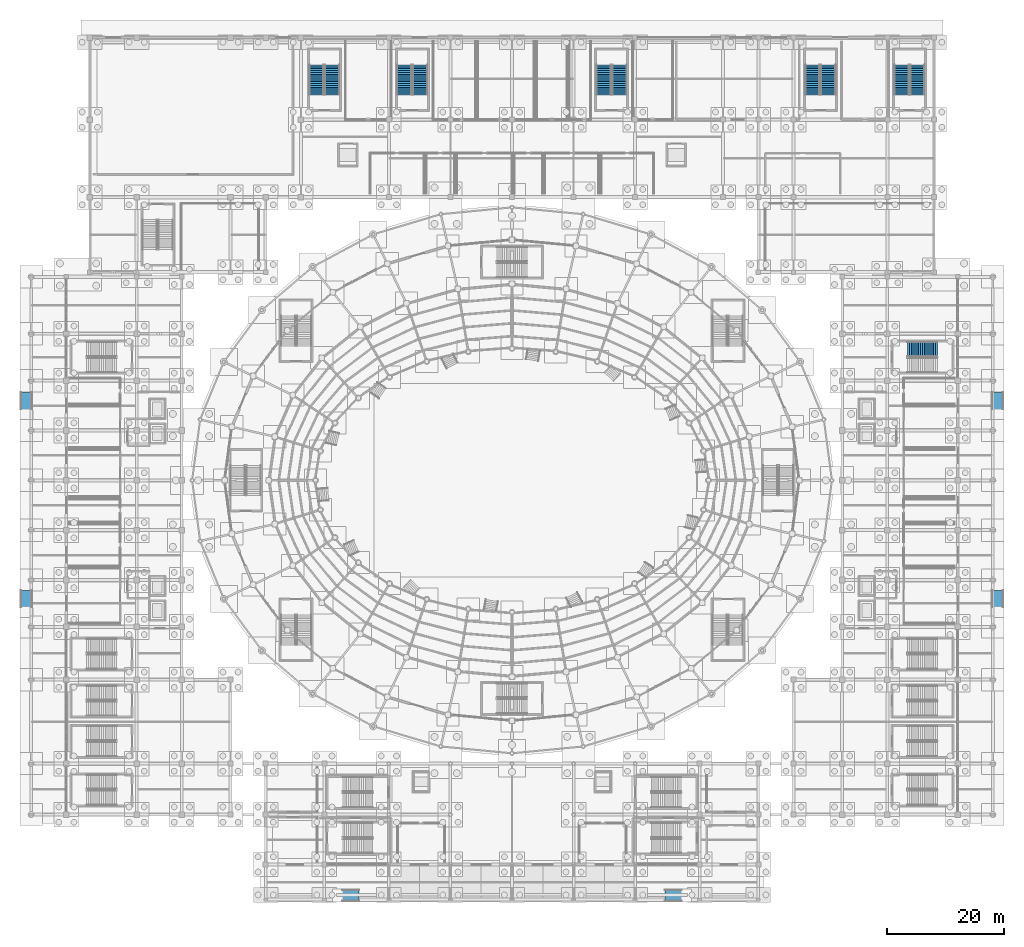
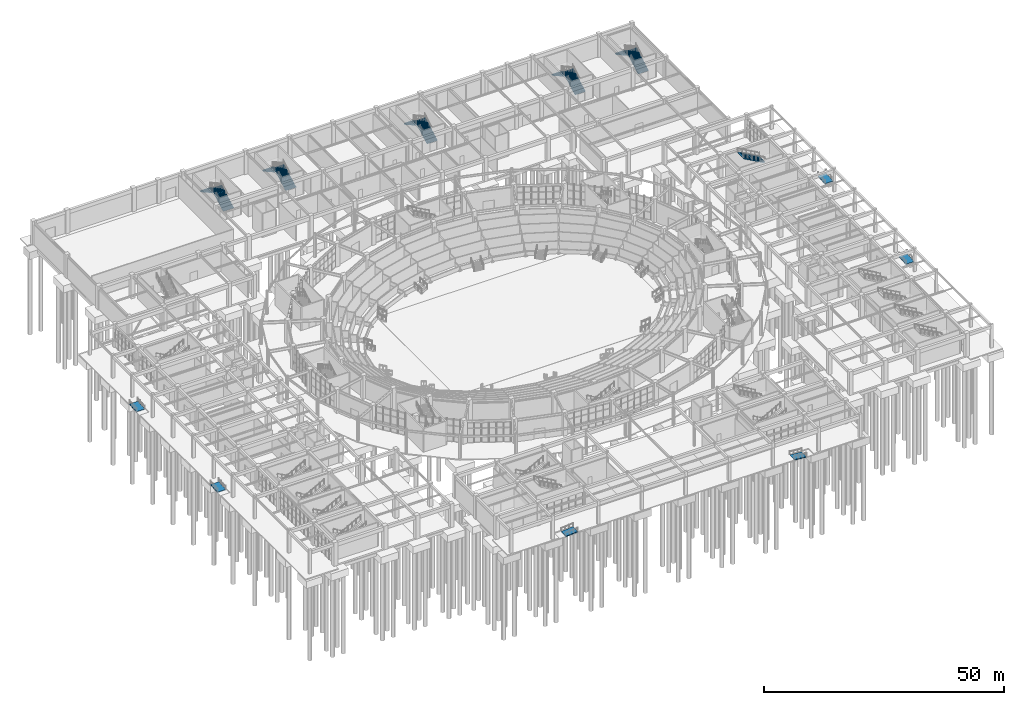
# One storey, part 99 of 121: 11 stair flights, 6 ramp flights, 12 elements without a shape of their own.
"""IFC4 building model written with IfcOpenShell, lengths in metres."""

from ifc_helpers import new_model, si_unit, direction, frame, origin, place, context, subcontext, project, spatial, polyline, outline, extrude, material, layer, layer_set, type_object, element, aggregate, save


model = new_model("IFC4")

# Units and contexts
model_context = context("Model", 3, precision=1e-05, world=origin(), true_north=direction((0.0, 1.0)))
body_context = subcontext(model_context, "Body", "Model", "MODEL_VIEW")
ifc_project = project(units=[si_unit("LENGTHUNIT", "METRE"), si_unit("AREAUNIT", "SQUARE_METRE"), si_unit("VOLUMEUNIT", "CUBIC_METRE"), si_unit("PLANEANGLEUNIT", "RADIAN"), si_unit("MASSUNIT", "GRAM", prefix="KILO")], contexts=[model_context])

# Site, building, storey
site_placement = place(None, origin())
site = spatial("IfcSite", under=ifc_project, at=site_placement, CompositionType="ELEMENT")
building_placement = place(site_placement, origin())
building = spatial("IfcBuilding", under=site, at=building_placement, Name="Cuetzalor Civic Arena", CompositionType="ELEMENT")
storey_placement = place(building_placement, origin())
storey = spatial("IfcBuildingStorey", under=building, at=storey_placement, Name="L00", CompositionType="ELEMENT", Elevation=0.0)

# Stair, stair flight
ifc_material_1 = material(Name="Precast concrete C40/50", Category="concrete")
stair_type = type_object("IfcStairType", Name="EnclosedExitStair_H600", PredefinedType="HALF_TURN_STAIR", material=ifc_material_1)
stair_1_placement = place(storey_placement, origin())
stair_1 = element("IfcStair", 1, at=stair_1_placement, inside=storey, type_object=stair_type, Name="L00 Enclosed Exit Stair ST-22", PredefinedType="HALF_TURN_STAIR")
ifc_material_2 = material(Name="Precast concrete C40/50", Category="concrete")
stair_flight_type = type_object("IfcStairFlightType", Name="ExitStairFlight_H600", PredefinedType="STRAIGHT", material=ifc_material_2)
stair_flight_1_placement = place(storey_placement, frame((72.5380859375, 22.35009765625, 3.0), z_axis=(0.0, 0.0, 1.0), x_axis=(-1.0, 0.0, 0.0)))
stair_flight_1 = element("IfcStairFlight", 2, at=stair_flight_1_placement, type_object=stair_flight_type, Name="ST-22 flight 2", NumberOfRisers=17, NumberOfTreads=16, PredefinedType="STRAIGHT", RiserHeight=0.176470588, TreadLength=0.318, context=body_context, shape_type="SweptSolid", body=[
    extrude(outline(polyline([(0.0, 0.0), (0.0, 0.176513671875), (0.318115234375, 0.176513671875), (0.318115234375, 0.35302734375), (0.635986328125, 0.35302734375), (0.635986328125, 0.529296875), (0.9541015625, 0.529296875), (0.9541015625, 0.705810546875), (1.27197265625, 0.705810546875), (1.27197265625, 0.88232421875), (1.590087890625, 0.88232421875), (1.590087890625, 1.058837890625), (1.907958984375, 1.058837890625), (1.907958984375, 1.2353515625), (2.22607421875, 1.2353515625), (2.22607421875, 1.411865234375), (2.5439453125, 1.411865234375), (2.5439453125, 1.588134765625), (2.862060546875, 1.588134765625), (2.862060546875, 1.7646484375), (3.179931640625, 1.7646484375), (3.179931640625, 1.941162109375), (3.498046875, 1.941162109375), (3.498046875, 2.11767578125), (3.81591796875, 2.11767578125), (3.81591796875, 2.294189453125), (4.134033203125, 2.294189453125), (4.134033203125, 2.470703125), (4.451904296875, 2.470703125), (4.451904296875, 2.64697265625), (4.77001953125, 2.64697265625), (4.77001953125, 2.823486328125), (5.087890625, 2.823486328125), (5.087890625, 3.0), (5.087890625, 2.61767578125), (0.370849609375, 0.0), (0.0, 0.0)])), frame((0.0, 1.25, 0.0), z_axis=(0.0, -1.0, 0.0), x_axis=(1.0, 0.0, 0.0)), (0.0, 0.0, 1.0), 2.5),
])
aggregate(stair_1, [stair_flight_1])

# Stair, stair flights
stair_2_placement = place(storey_placement, origin())
stair_2 = element("IfcStair", 3, at=stair_2_placement, inside=storey, type_object=stair_type, Name="L00 Enclosed Exit Stair ST-24", PredefinedType="HALF_TURN_STAIR")
stair_flight_2_placement = place(storey_placement, frame((-30.64990234375, 65.75, 0.0), z_axis=(0.0, 0.0, 1.0), x_axis=(0.0, 1.0, 0.0)))
stair_flight_2 = element("IfcStairFlight", 4, at=stair_flight_2_placement, type_object=stair_flight_type, Name="ST-24 flight 1", NumberOfRisers=17, NumberOfTreads=16, PredefinedType="STRAIGHT", RiserHeight=0.176470588, TreadLength=0.318, context=body_context, shape_type="SweptSolid", body=[
    extrude(outline(polyline([(0.0, 0.0), (0.0, 0.176513671875), (0.318115234375, 0.176513671875), (0.318115234375, 0.35302734375), (0.635986328125, 0.35302734375), (0.635986328125, 0.529296875), (0.9541015625, 0.529296875), (0.9541015625, 0.705810546875), (1.27197265625, 0.705810546875), (1.27197265625, 0.88232421875), (1.590087890625, 0.88232421875), (1.590087890625, 1.058837890625), (1.907958984375, 1.058837890625), (1.907958984375, 1.2353515625), (2.22607421875, 1.2353515625), (2.22607421875, 1.411865234375), (2.5439453125, 1.411865234375), (2.5439453125, 1.588134765625), (2.862060546875, 1.588134765625), (2.862060546875, 1.7646484375), (3.179931640625, 1.7646484375), (3.179931640625, 1.941162109375), (3.498046875, 1.941162109375), (3.498046875, 2.11767578125), (3.81591796875, 2.11767578125), (3.81591796875, 2.294189453125), (4.134033203125, 2.294189453125), (4.134033203125, 2.470703125), (4.451904296875, 2.470703125), (4.451904296875, 2.64697265625), (4.77001953125, 2.64697265625), (4.77001953125, 2.823486328125), (5.087890625, 2.823486328125), (5.087890625, 3.0), (5.087890625, 2.61767578125), (0.370849609375, 0.0), (0.0, 0.0)])), frame((0.0, 1.25, 0.0), z_axis=(0.0, -1.0, 0.0), x_axis=(1.0, 0.0, 0.0)), (0.0, 0.0, 1.0), 2.5),
])
stair_flight_3_placement = place(storey_placement, frame((-33.35009765625, 70.837890625, 3.0), z_axis=(0.0, 0.0, 1.0), x_axis=(0.0, -1.0, 0.0)))
stair_flight_3 = element("IfcStairFlight", 5, at=stair_flight_3_placement, type_object=stair_flight_type, Name="ST-24 flight 2", NumberOfRisers=17, NumberOfTreads=16, PredefinedType="STRAIGHT", RiserHeight=0.176470588, TreadLength=0.318, context=body_context, shape_type="SweptSolid", body=[
    extrude(outline(polyline([(0.0, 0.0), (0.0, 0.176513671875), (0.318115234375, 0.176513671875), (0.318115234375, 0.35302734375), (0.635986328125, 0.35302734375), (0.635986328125, 0.529296875), (0.9541015625, 0.529296875), (0.9541015625, 0.705810546875), (1.27197265625, 0.705810546875), (1.27197265625, 0.88232421875), (1.590087890625, 0.88232421875), (1.590087890625, 1.058837890625), (1.907958984375, 1.058837890625), (1.907958984375, 1.2353515625), (2.22607421875, 1.2353515625), (2.22607421875, 1.411865234375), (2.5439453125, 1.411865234375), (2.5439453125, 1.588134765625), (2.862060546875, 1.588134765625), (2.862060546875, 1.7646484375), (3.179931640625, 1.7646484375), (3.179931640625, 1.941162109375), (3.498046875, 1.941162109375), (3.498046875, 2.11767578125), (3.81591796875, 2.11767578125), (3.81591796875, 2.294189453125), (4.134033203125, 2.294189453125), (4.134033203125, 2.470703125), (4.451904296875, 2.470703125), (4.451904296875, 2.64697265625), (4.77001953125, 2.64697265625), (4.77001953125, 2.823486328125), (5.087890625, 2.823486328125), (5.087890625, 3.0), (5.087890625, 2.61767578125), (0.370849609375, 0.0), (0.0, 0.0)])), frame((0.0, 1.25, 0.0), z_axis=(0.0, -1.0, 0.0), x_axis=(1.0, 0.0, 0.0)), (0.0, 0.0, 1.0), 2.5),
])
aggregate(stair_2, [stair_flight_2, stair_flight_3])

stair_3_placement = place(storey_placement, origin())
stair_3 = element("IfcStair", 6, at=stair_3_placement, inside=storey, type_object=stair_type, Name="L00 Enclosed Exit Stair ST-25", PredefinedType="HALF_TURN_STAIR")
stair_flight_4_placement = place(storey_placement, frame((-15.64990234375, 65.75, 0.0), z_axis=(0.0, 0.0, 1.0), x_axis=(0.0, 1.0, 0.0)))
stair_flight_4 = element("IfcStairFlight", 7, at=stair_flight_4_placement, type_object=stair_flight_type, Name="ST-25 flight 1", NumberOfRisers=17, NumberOfTreads=16, PredefinedType="STRAIGHT", RiserHeight=0.176470588, TreadLength=0.318, context=body_context, shape_type="SweptSolid", body=[
    extrude(outline(polyline([(0.0, 0.0), (0.0, 0.176513671875), (0.318115234375, 0.176513671875), (0.318115234375, 0.35302734375), (0.635986328125, 0.35302734375), (0.635986328125, 0.529296875), (0.9541015625, 0.529296875), (0.9541015625, 0.705810546875), (1.27197265625, 0.705810546875), (1.27197265625, 0.88232421875), (1.590087890625, 0.88232421875), (1.590087890625, 1.058837890625), (1.907958984375, 1.058837890625), (1.907958984375, 1.2353515625), (2.22607421875, 1.2353515625), (2.22607421875, 1.411865234375), (2.5439453125, 1.411865234375), (2.5439453125, 1.588134765625), (2.862060546875, 1.588134765625), (2.862060546875, 1.7646484375), (3.179931640625, 1.7646484375), (3.179931640625, 1.941162109375), (3.498046875, 1.941162109375), (3.498046875, 2.11767578125), (3.81591796875, 2.11767578125), (3.81591796875, 2.294189453125), (4.134033203125, 2.294189453125), (4.134033203125, 2.470703125), (4.451904296875, 2.470703125), (4.451904296875, 2.64697265625), (4.77001953125, 2.64697265625), (4.77001953125, 2.823486328125), (5.087890625, 2.823486328125), (5.087890625, 3.0), (5.087890625, 2.61767578125), (0.370849609375, 0.0), (0.0, 0.0)])), frame((0.0, 1.25, 0.0), z_axis=(0.0, -1.0, 0.0), x_axis=(1.0, 0.0, 0.0)), (0.0, 0.0, 1.0), 2.5),
])
stair_flight_5_placement = place(storey_placement, frame((-18.35009765625, 70.837890625, 3.0), z_axis=(0.0, 0.0, 1.0), x_axis=(0.0, -1.0, 0.0)))
stair_flight_5 = element("IfcStairFlight", 8, at=stair_flight_5_placement, type_object=stair_flight_type, Name="ST-25 flight 2", NumberOfRisers=17, NumberOfTreads=16, PredefinedType="STRAIGHT", RiserHeight=0.176470588, TreadLength=0.318, context=body_context, shape_type="SweptSolid", body=[
    extrude(outline(polyline([(0.0, 0.0), (0.0, 0.176513671875), (0.318115234375, 0.176513671875), (0.318115234375, 0.35302734375), (0.635986328125, 0.35302734375), (0.635986328125, 0.529296875), (0.9541015625, 0.529296875), (0.9541015625, 0.705810546875), (1.27197265625, 0.705810546875), (1.27197265625, 0.88232421875), (1.590087890625, 0.88232421875), (1.590087890625, 1.058837890625), (1.907958984375, 1.058837890625), (1.907958984375, 1.2353515625), (2.22607421875, 1.2353515625), (2.22607421875, 1.411865234375), (2.5439453125, 1.411865234375), (2.5439453125, 1.588134765625), (2.862060546875, 1.588134765625), (2.862060546875, 1.7646484375), (3.179931640625, 1.7646484375), (3.179931640625, 1.941162109375), (3.498046875, 1.941162109375), (3.498046875, 2.11767578125), (3.81591796875, 2.11767578125), (3.81591796875, 2.294189453125), (4.134033203125, 2.294189453125), (4.134033203125, 2.470703125), (4.451904296875, 2.470703125), (4.451904296875, 2.64697265625), (4.77001953125, 2.64697265625), (4.77001953125, 2.823486328125), (5.087890625, 2.823486328125), (5.087890625, 3.0), (5.087890625, 2.61767578125), (0.370849609375, 0.0), (0.0, 0.0)])), frame((0.0, 1.25, 0.0), z_axis=(0.0, -1.0, 0.0), x_axis=(1.0, 0.0, 0.0)), (0.0, 0.0, 1.0), 2.5),
])
aggregate(stair_3, [stair_flight_4, stair_flight_5])

stair_4_placement = place(storey_placement, origin())
stair_4 = element("IfcStair", 9, at=stair_4_placement, inside=storey, type_object=stair_type, Name="L00 Enclosed Exit Stair ST-26", PredefinedType="HALF_TURN_STAIR")
stair_flight_6_placement = place(storey_placement, frame((18.35009765625, 65.75, 0.0), z_axis=(0.0, 0.0, 1.0), x_axis=(0.0, 1.0, 0.0)))
stair_flight_6 = element("IfcStairFlight", 10, at=stair_flight_6_placement, type_object=stair_flight_type, Name="ST-26 flight 1", NumberOfRisers=17, NumberOfTreads=16, PredefinedType="STRAIGHT", RiserHeight=0.176470588, TreadLength=0.318, context=body_context, shape_type="SweptSolid", body=[
    extrude(outline(polyline([(0.0, 0.0), (0.0, 0.176513671875), (0.318115234375, 0.176513671875), (0.318115234375, 0.35302734375), (0.635986328125, 0.35302734375), (0.635986328125, 0.529296875), (0.9541015625, 0.529296875), (0.9541015625, 0.705810546875), (1.27197265625, 0.705810546875), (1.27197265625, 0.88232421875), (1.590087890625, 0.88232421875), (1.590087890625, 1.058837890625), (1.907958984375, 1.058837890625), (1.907958984375, 1.2353515625), (2.22607421875, 1.2353515625), (2.22607421875, 1.411865234375), (2.5439453125, 1.411865234375), (2.5439453125, 1.588134765625), (2.862060546875, 1.588134765625), (2.862060546875, 1.7646484375), (3.179931640625, 1.7646484375), (3.179931640625, 1.941162109375), (3.498046875, 1.941162109375), (3.498046875, 2.11767578125), (3.81591796875, 2.11767578125), (3.81591796875, 2.294189453125), (4.134033203125, 2.294189453125), (4.134033203125, 2.470703125), (4.451904296875, 2.470703125), (4.451904296875, 2.64697265625), (4.77001953125, 2.64697265625), (4.77001953125, 2.823486328125), (5.087890625, 2.823486328125), (5.087890625, 3.0), (5.087890625, 2.61767578125), (0.370849609375, 0.0), (0.0, 0.0)])), frame((0.0, 1.25, 0.0), z_axis=(0.0, -1.0, 0.0), x_axis=(1.0, 0.0, 0.0)), (0.0, 0.0, 1.0), 2.5),
])
stair_flight_7_placement = place(storey_placement, frame((15.64990234375, 70.837890625, 3.0), z_axis=(0.0, 0.0, 1.0), x_axis=(0.0, -1.0, 0.0)))
stair_flight_7 = element("IfcStairFlight", 11, at=stair_flight_7_placement, type_object=stair_flight_type, Name="ST-26 flight 2", NumberOfRisers=17, NumberOfTreads=16, PredefinedType="STRAIGHT", RiserHeight=0.176470588, TreadLength=0.318, context=body_context, shape_type="SweptSolid", body=[
    extrude(outline(polyline([(0.0, 0.0), (0.0, 0.176513671875), (0.318115234375, 0.176513671875), (0.318115234375, 0.35302734375), (0.635986328125, 0.35302734375), (0.635986328125, 0.529296875), (0.9541015625, 0.529296875), (0.9541015625, 0.705810546875), (1.27197265625, 0.705810546875), (1.27197265625, 0.88232421875), (1.590087890625, 0.88232421875), (1.590087890625, 1.058837890625), (1.907958984375, 1.058837890625), (1.907958984375, 1.2353515625), (2.22607421875, 1.2353515625), (2.22607421875, 1.411865234375), (2.5439453125, 1.411865234375), (2.5439453125, 1.588134765625), (2.862060546875, 1.588134765625), (2.862060546875, 1.7646484375), (3.179931640625, 1.7646484375), (3.179931640625, 1.941162109375), (3.498046875, 1.941162109375), (3.498046875, 2.11767578125), (3.81591796875, 2.11767578125), (3.81591796875, 2.294189453125), (4.134033203125, 2.294189453125), (4.134033203125, 2.470703125), (4.451904296875, 2.470703125), (4.451904296875, 2.64697265625), (4.77001953125, 2.64697265625), (4.77001953125, 2.823486328125), (5.087890625, 2.823486328125), (5.087890625, 3.0), (5.087890625, 2.61767578125), (0.370849609375, 0.0), (0.0, 0.0)])), frame((0.0, 1.25, 0.0), z_axis=(0.0, -1.0, 0.0), x_axis=(1.0, 0.0, 0.0)), (0.0, 0.0, 1.0), 2.5),
])
aggregate(stair_4, [stair_flight_6, stair_flight_7])

stair_5_placement = place(storey_placement, origin())
stair_5 = element("IfcStair", 12, at=stair_5_placement, inside=storey, type_object=stair_type, Name="L00 Enclosed Exit Stair ST-27", PredefinedType="HALF_TURN_STAIR")
stair_flight_8_placement = place(storey_placement, frame((53.949951171875, 65.75, 0.0), z_axis=(0.0, 0.0, 1.0), x_axis=(0.0, 1.0, 0.0)))
stair_flight_8 = element("IfcStairFlight", 13, at=stair_flight_8_placement, type_object=stair_flight_type, Name="ST-27 flight 1", NumberOfRisers=17, NumberOfTreads=16, PredefinedType="STRAIGHT", RiserHeight=0.176470588, TreadLength=0.318, context=body_context, shape_type="SweptSolid", body=[
    extrude(outline(polyline([(0.0, 0.0), (0.0, 0.176513671875), (0.318115234375, 0.176513671875), (0.318115234375, 0.35302734375), (0.635986328125, 0.35302734375), (0.635986328125, 0.529296875), (0.9541015625, 0.529296875), (0.9541015625, 0.705810546875), (1.27197265625, 0.705810546875), (1.27197265625, 0.88232421875), (1.590087890625, 0.88232421875), (1.590087890625, 1.058837890625), (1.907958984375, 1.058837890625), (1.907958984375, 1.2353515625), (2.22607421875, 1.2353515625), (2.22607421875, 1.411865234375), (2.5439453125, 1.411865234375), (2.5439453125, 1.588134765625), (2.862060546875, 1.588134765625), (2.862060546875, 1.7646484375), (3.179931640625, 1.7646484375), (3.179931640625, 1.941162109375), (3.498046875, 1.941162109375), (3.498046875, 2.11767578125), (3.81591796875, 2.11767578125), (3.81591796875, 2.294189453125), (4.134033203125, 2.294189453125), (4.134033203125, 2.470703125), (4.451904296875, 2.470703125), (4.451904296875, 2.64697265625), (4.77001953125, 2.64697265625), (4.77001953125, 2.823486328125), (5.087890625, 2.823486328125), (5.087890625, 3.0), (5.087890625, 2.61767578125), (0.370849609375, 0.0), (0.0, 0.0)])), frame((0.0, 1.25, 0.0), z_axis=(0.0, -1.0, 0.0), x_axis=(1.0, 0.0, 0.0)), (0.0, 0.0, 1.0), 2.5),
])
stair_flight_9_placement = place(storey_placement, frame((51.25, 70.837890625, 3.0), z_axis=(0.0, 0.0, 1.0), x_axis=(0.0, -1.0, 0.0)))
stair_flight_9 = element("IfcStairFlight", 14, at=stair_flight_9_placement, type_object=stair_flight_type, Name="ST-27 flight 2", NumberOfRisers=17, NumberOfTreads=16, PredefinedType="STRAIGHT", RiserHeight=0.176470588, TreadLength=0.318, context=body_context, shape_type="SweptSolid", body=[
    extrude(outline(polyline([(0.0, 0.0), (0.0, 0.176513671875), (0.318115234375, 0.176513671875), (0.318115234375, 0.35302734375), (0.635986328125, 0.35302734375), (0.635986328125, 0.529296875), (0.9541015625, 0.529296875), (0.9541015625, 0.705810546875), (1.27197265625, 0.705810546875), (1.27197265625, 0.88232421875), (1.590087890625, 0.88232421875), (1.590087890625, 1.058837890625), (1.907958984375, 1.058837890625), (1.907958984375, 1.2353515625), (2.22607421875, 1.2353515625), (2.22607421875, 1.411865234375), (2.5439453125, 1.411865234375), (2.5439453125, 1.588134765625), (2.862060546875, 1.588134765625), (2.862060546875, 1.7646484375), (3.179931640625, 1.7646484375), (3.179931640625, 1.941162109375), (3.498046875, 1.941162109375), (3.498046875, 2.11767578125), (3.81591796875, 2.11767578125), (3.81591796875, 2.294189453125), (4.134033203125, 2.294189453125), (4.134033203125, 2.470703125), (4.451904296875, 2.470703125), (4.451904296875, 2.64697265625), (4.77001953125, 2.64697265625), (4.77001953125, 2.823486328125), (5.087890625, 2.823486328125), (5.087890625, 3.0), (5.087890625, 2.61767578125), (0.370849609375, 0.0), (0.0, 0.0)])), frame((0.0, 1.25, 0.0), z_axis=(0.0, -1.0, 0.0), x_axis=(1.0, 0.0, 0.0)), (0.0, 0.0, 1.0), 2.5),
])
aggregate(stair_5, [stair_flight_8, stair_flight_9])

stair_6_placement = place(storey_placement, origin())
stair_6 = element("IfcStair", 15, at=stair_6_placement, inside=storey, type_object=stair_type, Name="L00 Enclosed Exit Stair ST-28", PredefinedType="HALF_TURN_STAIR")
stair_flight_10_placement = place(storey_placement, frame((69.14990234375, 65.75, 0.0), z_axis=(0.0, 0.0, 1.0), x_axis=(0.0, 1.0, 0.0)))
stair_flight_10 = element("IfcStairFlight", 16, at=stair_flight_10_placement, type_object=stair_flight_type, Name="ST-28 flight 1", NumberOfRisers=17, NumberOfTreads=16, PredefinedType="STRAIGHT", RiserHeight=0.176470588, TreadLength=0.318, context=body_context, shape_type="SweptSolid", body=[
    extrude(outline(polyline([(0.0, 0.0), (0.0, 0.176513671875), (0.318115234375, 0.176513671875), (0.318115234375, 0.35302734375), (0.635986328125, 0.35302734375), (0.635986328125, 0.529296875), (0.9541015625, 0.529296875), (0.9541015625, 0.705810546875), (1.27197265625, 0.705810546875), (1.27197265625, 0.88232421875), (1.590087890625, 0.88232421875), (1.590087890625, 1.058837890625), (1.907958984375, 1.058837890625), (1.907958984375, 1.2353515625), (2.22607421875, 1.2353515625), (2.22607421875, 1.411865234375), (2.5439453125, 1.411865234375), (2.5439453125, 1.588134765625), (2.862060546875, 1.588134765625), (2.862060546875, 1.7646484375), (3.179931640625, 1.7646484375), (3.179931640625, 1.941162109375), (3.498046875, 1.941162109375), (3.498046875, 2.11767578125), (3.81591796875, 2.11767578125), (3.81591796875, 2.294189453125), (4.134033203125, 2.294189453125), (4.134033203125, 2.470703125), (4.451904296875, 2.470703125), (4.451904296875, 2.64697265625), (4.77001953125, 2.64697265625), (4.77001953125, 2.823486328125), (5.087890625, 2.823486328125), (5.087890625, 3.0), (5.087890625, 2.61767578125), (0.370849609375, 0.0), (0.0, 0.0)])), frame((0.0, 1.25, 0.0), z_axis=(0.0, -1.0, 0.0), x_axis=(1.0, 0.0, 0.0)), (0.0, 0.0, 1.0), 2.5),
])
stair_flight_11_placement = place(storey_placement, frame((66.449951171875, 70.837890625, 3.0), z_axis=(0.0, 0.0, 1.0), x_axis=(0.0, -1.0, 0.0)))
stair_flight_11 = element("IfcStairFlight", 17, at=stair_flight_11_placement, type_object=stair_flight_type, Name="ST-28 flight 2", NumberOfRisers=17, NumberOfTreads=16, PredefinedType="STRAIGHT", RiserHeight=0.176470588, TreadLength=0.318, context=body_context, shape_type="SweptSolid", body=[
    extrude(outline(polyline([(0.0, 0.0), (0.0, 0.176513671875), (0.318115234375, 0.176513671875), (0.318115234375, 0.35302734375), (0.635986328125, 0.35302734375), (0.635986328125, 0.529296875), (0.9541015625, 0.529296875), (0.9541015625, 0.705810546875), (1.27197265625, 0.705810546875), (1.27197265625, 0.88232421875), (1.590087890625, 0.88232421875), (1.590087890625, 1.058837890625), (1.907958984375, 1.058837890625), (1.907958984375, 1.2353515625), (2.22607421875, 1.2353515625), (2.22607421875, 1.411865234375), (2.5439453125, 1.411865234375), (2.5439453125, 1.588134765625), (2.862060546875, 1.588134765625), (2.862060546875, 1.7646484375), (3.179931640625, 1.7646484375), (3.179931640625, 1.941162109375), (3.498046875, 1.941162109375), (3.498046875, 2.11767578125), (3.81591796875, 2.11767578125), (3.81591796875, 2.294189453125), (4.134033203125, 2.294189453125), (4.134033203125, 2.470703125), (4.451904296875, 2.470703125), (4.451904296875, 2.64697265625), (4.77001953125, 2.64697265625), (4.77001953125, 2.823486328125), (5.087890625, 2.823486328125), (5.087890625, 3.0), (5.087890625, 2.61767578125), (0.370849609375, 0.0), (0.0, 0.0)])), frame((0.0, 1.25, 0.0), z_axis=(0.0, -1.0, 0.0), x_axis=(1.0, 0.0, 0.0)), (0.0, 0.0, 1.0), 2.5),
])
aggregate(stair_6, [stair_flight_10, stair_flight_11])

# Ramp, ramp flight
ifc_material_3 = material(Name="Concrete C35/45 bush-hammered", Category="concrete")
ramp_type = type_object("IfcRampType", Name="AccessibleColonnadeRamp_1in12", PredefinedType="STRAIGHT_RUN_RAMP", material=ifc_material_3)
ramp_1_placement = place(storey_placement, origin())
ramp_1 = element("IfcRamp", 18, at=ramp_1_placement, inside=storey, type_object=ramp_type, Name="Accessible Colonnade Plaza Ramp RMP-S1", PredefinedType="STRAIGHT_RUN_RAMP")
ifc_material_4 = material(Name="Concrete C35/45 bush-hammered", Category="concrete")
ifc_layer = layer(ifc_material_4, 0.219970703125)
ifc_layer_set = layer_set([ifc_layer], Name="Concrete C35/45 bush-hammered")
ramp_flight_type = type_object("IfcRampFlightType", Name="AccessibleRampFlight_2000", PredefinedType="STRAIGHT", material=ifc_layer_set)
ramp_flight_1_placement = place(storey_placement, frame((-28.949951171875, -70.800048828125, -0.239990234375), z_axis=(0.0, 0.0, 1.0), x_axis=(1.0, 0.0, 0.0)))
ramp_flight_1 = element("IfcRampFlight", 19, at=ramp_flight_1_placement, type_object=ramp_flight_type, Name="Accessible Colonnade Ramp Flight RMP-S1", PredefinedType="STRAIGHT", context=body_context, shape_type="SweptSolid", body=[
    extrude(outline(polyline([(0.0, 0.0), (2.8798828125, 0.239990234375), (2.8798828125, 0.02001953125), (0.0, -0.219970703125), (0.0, 0.0)])), frame((0.0, 1.0, 0.0), z_axis=(0.0, -1.0, 0.0), x_axis=(1.0, 0.0, 0.0)), (0.0, 0.0, 1.0), 2.0),
])
aggregate(ramp_1, [ramp_flight_1])

ramp_2_placement = place(storey_placement, origin())
ramp_2 = element("IfcRamp", 20, at=ramp_2_placement, inside=storey, type_object=ramp_type, Name="Accessible Colonnade Plaza Ramp RMP-S2", PredefinedType="STRAIGHT_RUN_RAMP")
ramp_flight_2_placement = place(storey_placement, frame((28.949951171875, -70.800048828125, -0.239990234375), z_axis=(0.0, 0.0, 1.0), x_axis=(-1.0, 0.0, 0.0)))
ramp_flight_2 = element("IfcRampFlight", 21, at=ramp_flight_2_placement, type_object=ramp_flight_type, Name="Accessible Colonnade Ramp Flight RMP-S2", PredefinedType="STRAIGHT", context=body_context, shape_type="SweptSolid", body=[
    extrude(outline(polyline([(0.0, 0.0), (2.8798828125, 0.239990234375), (2.8798828125, 0.02001953125), (0.0, -0.219970703125), (0.0, 0.0)])), frame((0.0, 1.0, 0.0), z_axis=(0.0, -1.0, 0.0), x_axis=(1.0, 0.0, 0.0)), (0.0, 0.0, 1.0), 2.0),
])
aggregate(ramp_2, [ramp_flight_2])

ramp_3_placement = place(storey_placement, origin())
ramp_3 = element("IfcRamp", 22, at=ramp_3_placement, inside=storey, type_object=ramp_type, Name="Accessible Colonnade Plaza Ramp RMP-W1", PredefinedType="STRAIGHT_RUN_RAMP")
ramp_flight_3_placement = place(storey_placement, frame((-82.800048828125, -21.64990234375, -0.239990234375), z_axis=(0.0, 0.0, 1.0), x_axis=(0.0, 1.0, 0.0)))
ramp_flight_3 = element("IfcRampFlight", 23, at=ramp_flight_3_placement, type_object=ramp_flight_type, Name="Accessible Colonnade Ramp Flight RMP-W1", PredefinedType="STRAIGHT", context=body_context, shape_type="SweptSolid", body=[
    extrude(outline(polyline([(0.0, 0.0), (2.8798828125, 0.239990234375), (2.8798828125, 0.02001953125), (0.0, -0.219970703125), (0.0, 0.0)])), frame((0.0, 1.0, 0.0), z_axis=(0.0, -1.0, 0.0), x_axis=(1.0, 0.0, 0.0)), (0.0, 0.0, 1.0), 2.0),
])
aggregate(ramp_3, [ramp_flight_3])

ramp_4_placement = place(storey_placement, origin())
ramp_4 = element("IfcRamp", 24, at=ramp_4_placement, inside=storey, type_object=ramp_type, Name="Accessible Colonnade Plaza Ramp RMP-W2", PredefinedType="STRAIGHT_RUN_RAMP")
ramp_flight_4_placement = place(storey_placement, frame((-82.800048828125, 12.10009765625, -0.239990234375), z_axis=(0.0, 0.0, 1.0), x_axis=(0.0, 1.0, 0.0)))
ramp_flight_4 = element("IfcRampFlight", 25, at=ramp_flight_4_placement, type_object=ramp_flight_type, Name="Accessible Colonnade Ramp Flight RMP-W2", PredefinedType="STRAIGHT", context=body_context, shape_type="SweptSolid", body=[
    extrude(outline(polyline([(0.0, 0.0), (2.8798828125, 0.239990234375), (2.8798828125, 0.02001953125), (0.0, -0.219970703125), (0.0, 0.0)])), frame((0.0, 1.0, 0.0), z_axis=(0.0, -1.0, 0.0), x_axis=(1.0, 0.0, 0.0)), (0.0, 0.0, 1.0), 2.0),
])
aggregate(ramp_4, [ramp_flight_4])

ramp_5_placement = place(storey_placement, origin())
ramp_5 = element("IfcRamp", 26, at=ramp_5_placement, inside=storey, type_object=ramp_type, Name="Accessible Colonnade Plaza Ramp RMP-E1", PredefinedType="STRAIGHT_RUN_RAMP")
ramp_flight_5_placement = place(storey_placement, frame((82.800048828125, -21.64990234375, -0.239990234375), z_axis=(0.0, 0.0, 1.0), x_axis=(0.0, 1.0, 0.0)))
ramp_flight_5 = element("IfcRampFlight", 27, at=ramp_flight_5_placement, type_object=ramp_flight_type, Name="Accessible Colonnade Ramp Flight RMP-E1", PredefinedType="STRAIGHT", context=body_context, shape_type="SweptSolid", body=[
    extrude(outline(polyline([(0.0, 0.0), (2.8798828125, 0.239990234375), (2.8798828125, 0.02001953125), (0.0, -0.219970703125), (0.0, 0.0)])), frame((0.0, 1.0, 0.0), z_axis=(0.0, -1.0, 0.0), x_axis=(1.0, 0.0, 0.0)), (0.0, 0.0, 1.0), 2.0),
])
aggregate(ramp_5, [ramp_flight_5])

ramp_6_placement = place(storey_placement, origin())
ramp_6 = element("IfcRamp", 28, at=ramp_6_placement, inside=storey, type_object=ramp_type, Name="Accessible Colonnade Plaza Ramp RMP-E2", PredefinedType="STRAIGHT_RUN_RAMP")
ramp_flight_6_placement = place(storey_placement, frame((82.800048828125, 12.10009765625, -0.239990234375), z_axis=(0.0, 0.0, 1.0), x_axis=(0.0, 1.0, 0.0)))
ramp_flight_6 = element("IfcRampFlight", 29, at=ramp_flight_6_placement, type_object=ramp_flight_type, Name="Accessible Colonnade Ramp Flight RMP-E2", PredefinedType="STRAIGHT", context=body_context, shape_type="SweptSolid", body=[
    extrude(outline(polyline([(0.0, 0.0), (2.8798828125, 0.239990234375), (2.8798828125, 0.02001953125), (0.0, -0.219970703125), (0.0, 0.0)])), frame((0.0, 1.0, 0.0), z_axis=(0.0, -1.0, 0.0), x_axis=(1.0, 0.0, 0.0)), (0.0, 0.0, 1.0), 2.0),
])
aggregate(ramp_6, [ramp_flight_6])

save(model, "model.ifc")
